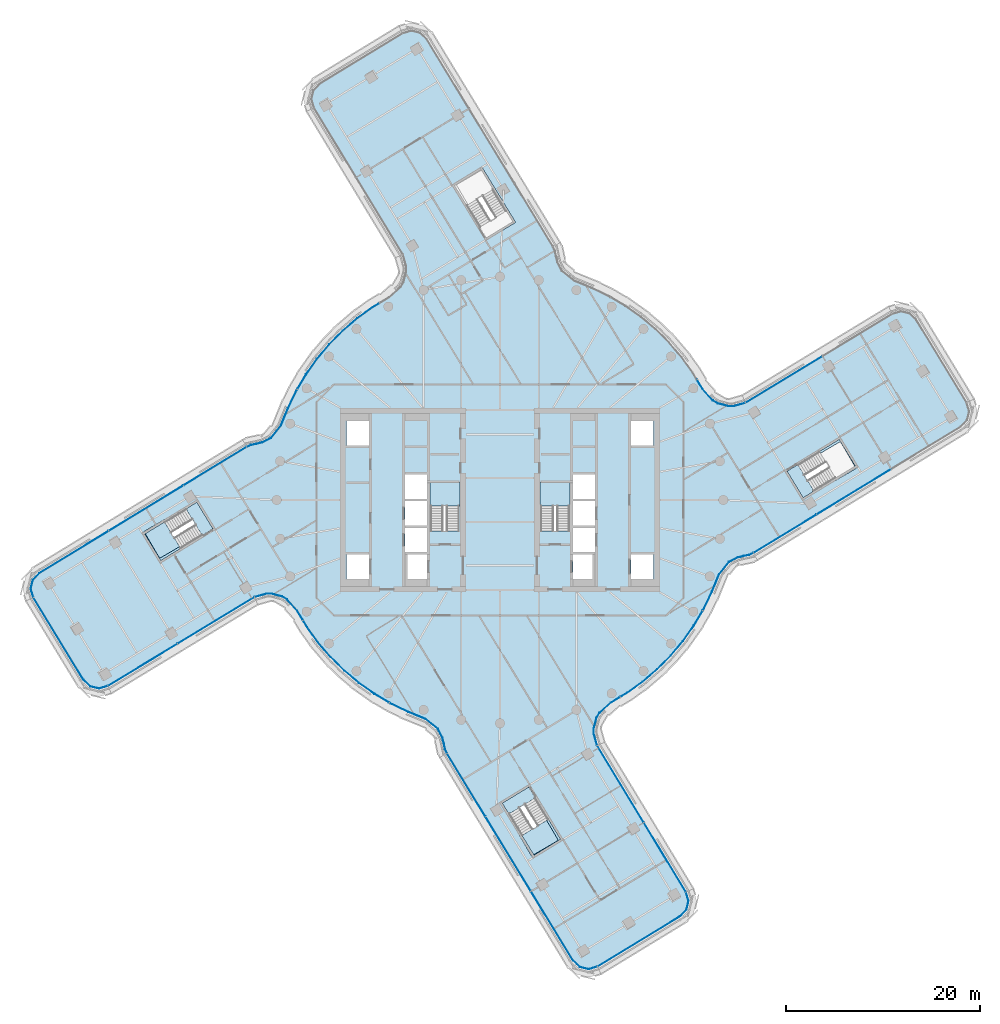
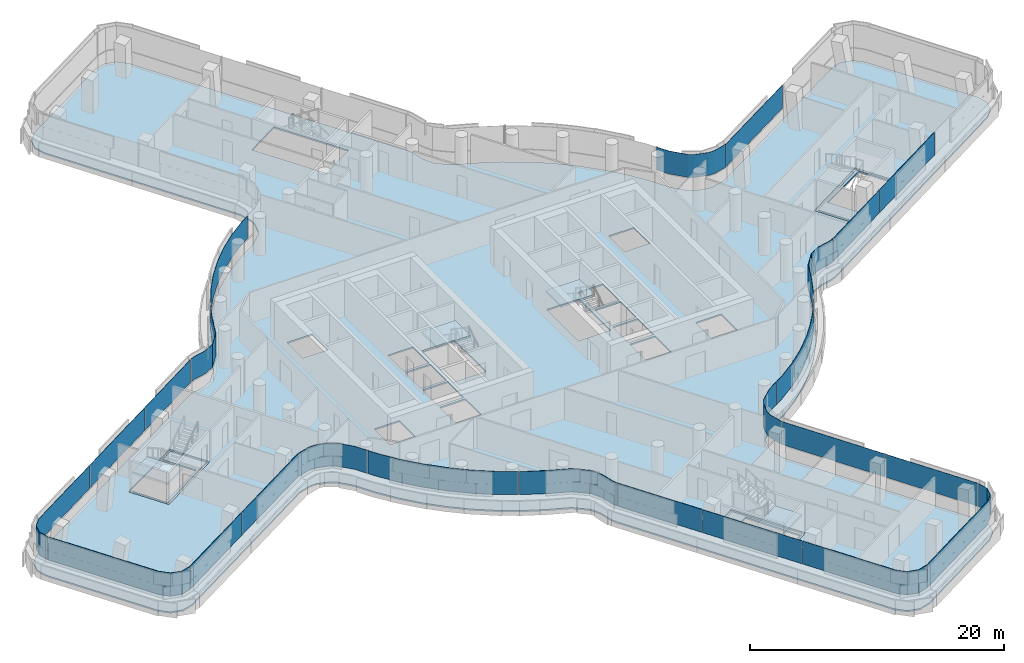
# One storey, part 19 of 35: 24 plates, 8 slabs, 16 elements without a shape of their own.
"""IFC4 building model written with IfcOpenShell, lengths in metres."""

from ifc_helpers import new_model, si_unit, direction, frame, origin, place, context, subcontext, project, spatial, polyline, outline, extrude, material, layer, layer_set, type_object, element, aggregate, save


model = new_model("IFC4")

# Units and contexts
model_context = context("Model", 3, precision=1e-05, world=origin(), true_north=direction((0.0, 1.0)))
body_context = subcontext(model_context, "Body", "Model", "MODEL_VIEW")
ifc_project = project(units=[si_unit("LENGTHUNIT", "METRE"), si_unit("AREAUNIT", "SQUARE_METRE"), si_unit("VOLUMEUNIT", "CUBIC_METRE"), si_unit("PLANEANGLEUNIT", "RADIAN"), si_unit("MASSUNIT", "GRAM", prefix="KILO")], contexts=[model_context])

# Site, building, storey
site_placement = place(None, origin())
site = spatial("IfcSite", under=ifc_project, at=site_placement, CompositionType="ELEMENT")
building_placement = place(site_placement, origin())
building = spatial("IfcBuilding", under=site, at=building_placement, Name="Tamarind Cross Interchange Tower", CompositionType="ELEMENT")
storey_placement = place(building_placement, frame((0.0, 0.0, 148.0)))
storey = spatial("IfcBuildingStorey", under=building, at=storey_placement, Name="L36", CompositionType="ELEMENT", Elevation=148.0)

# Slabs
ifc_material_1 = material(Name="Concrete C35", Category="concrete")
ifc_layer_1 = layer(ifc_material_1, 0.139892578125)
ifc_layer_set_1 = layer_set([ifc_layer_1], Name="Concrete C35")
slab_type_1 = type_object("IfcSlabType", Name="Composite slab 140 Concrete C35", PredefinedType="FLOOR", material=ifc_layer_set_1)
slab_1_placement = place(storey_placement, frame((0.0, 0.0, -0.139892578125)))
element("IfcSlab", 1, at=slab_1_placement, inside=storey, type_object=slab_type_1, Name="Floor slab L36", PredefinedType="FLOOR", context=body_context, shape_type="SweptSolid", body=[
    extrude(outline(polyline([(-25.725830078125, 5.84716796875), (-26.203369140625, 5.635986328125), (-47.577392578125, -7.382080078125), (-48.2919921875, -8.131103515625), (-48.53662109375, -9.13720703125), (-48.2451171875, -10.130615234375), (-43.04345703125, -18.671142578125), (-42.29443359375, -19.3857421875), (-41.288330078125, -19.630126953125), (-40.294921875, -19.3388671875), (-25.205810546875, -10.19091796875), (-24.056396484375, -9.864501953125), (-23.532470703125, -9.861083984375), (-22.5107421875, -10.13720703125), (-22.0595703125, -10.404052734375), (-21.054443359375, -11.511474609375), (-20.031982421875, -13.2109375), (-18.87255859375, -14.820068359375), (-17.584228515625, -16.327880859375), (-16.17578125, -17.72412109375), (-14.656982421875, -18.99951171875), (-13.0380859375, -20.14501953125), (-11.329833984375, -21.15283203125), (-9.54443359375, -22.01611328125), (-7.732421875, -22.753662109375), (-6.55419921875, -23.715576171875), (-6.118896484375, -24.551025390625), (-5.96875, -25.16259765625), (-5.84716796875, -25.725830078125), (-5.635986328125, -26.203369140625), (7.382080078125, -47.577392578125), (8.131103515625, -48.2919921875), (9.13720703125, -48.53662109375), (10.130615234375, -48.2451171875), (18.671142578125, -43.04345703125), (19.3857421875, -42.29443359375), (19.630126953125, -41.288330078125), (19.3388671875, -40.294921875), (10.19091796875, -25.205810546875), (9.864501953125, -24.056396484375), (9.861083984375, -23.532470703125), (10.13720703125, -22.5107421875), (10.404052734375, -22.0595703125), (11.511474609375, -21.054443359375), (13.2109375, -20.031982421875), (14.820068359375, -18.87255859375), (16.327880859375, -17.584228515625), (17.72412109375, -16.17578125), (18.99951171875, -14.656982421875), (20.14501953125, -13.0380859375), (21.15283203125, -11.329833984375), (22.01611328125, -9.54443359375), (22.753662109375, -7.732421875), (23.715576171875, -6.55419921875), (24.551025390625, -6.118896484375), (25.16259765625, -5.96875), (25.725830078125, -5.84716796875), (26.203369140625, -5.635986328125), (47.577392578125, 7.382080078125), (48.2919921875, 8.131103515625), (48.53662109375, 9.13720703125), (48.2451171875, 10.130615234375), (43.04345703125, 18.671142578125), (42.29443359375, 19.3857421875), (41.288330078125, 19.630126953125), (40.294921875, 19.3388671875), (25.205810546875, 10.19091796875), (24.056396484375, 9.864501953125), (23.532470703125, 9.861083984375), (22.5107421875, 10.13720703125), (22.0595703125, 10.404052734375), (21.054443359375, 11.511474609375), (20.031982421875, 13.2109375), (18.87255859375, 14.820068359375), (17.584228515625, 16.327880859375), (16.17578125, 17.72412109375), (14.656982421875, 18.99951171875), (13.0380859375, 20.14501953125), (11.329833984375, 21.15283203125), (9.54443359375, 22.01611328125), (7.732421875, 22.753662109375), (6.55419921875, 23.715576171875), (6.118896484375, 24.551025390625), (5.96875, 25.16259765625), (5.84716796875, 25.725830078125), (5.635986328125, 26.203369140625), (-7.382080078125, 47.577392578125), (-8.131103515625, 48.2919921875), (-9.13720703125, 48.53662109375), (-10.130615234375, 48.2451171875), (-18.671142578125, 43.04345703125), (-19.3857421875, 42.29443359375), (-19.630126953125, 41.288330078125), (-19.3388671875, 40.294921875), (-10.19091796875, 25.205810546875), (-9.864501953125, 24.056396484375), (-9.861083984375, 23.532470703125), (-10.13720703125, 22.5107421875), (-10.404052734375, 22.0595703125), (-11.511474609375, 21.054443359375), (-13.2109375, 20.031982421875), (-14.820068359375, 18.87255859375), (-16.327880859375, 17.584228515625), (-17.72412109375, 16.17578125), (-18.99951171875, 14.656982421875), (-20.14501953125, 13.0380859375), (-21.15283203125, 11.329833984375), (-22.01611328125, 9.54443359375), (-22.753662109375, 7.732421875), (-23.715576171875, 6.55419921875), (-24.551025390625, 6.118896484375), (-25.16259765625, 5.96875), (-25.725830078125, 5.84716796875)]), holes=[polyline([(-7.5, -8.125), (-9.800048828125, -8.125), (-9.800048828125, -5.625), (-7.5, -5.625), (-7.5, -8.125)]), polyline([(-13.5, -8.125), (-15.800048828125, -8.125), (-15.800048828125, -5.625), (-13.5, -5.625), (-13.5, -8.125)]), polyline([(-31.158447265625, 0.0419921875), (-31.054443359375, -0.128662109375), (-29.389892578125, -2.86181640625), (-29.285888671875, -3.032470703125), (-35.008056640625, -6.517578125), (-35.112060546875, -6.346923828125), (-36.776611328125, -3.614013671875), (-36.880615234375, -3.443115234375), (-36.63720703125, -3.294677734375), (-36.66748046875, -3.242919921875), (-33.8271484375, -1.583251953125), (-31.158447265625, 0.0419921875)]), polyline([(-7.5, -5.375), (-9.800048828125, -5.375), (-9.800048828125, -2.875), (-7.5, -2.875), (-7.5, -5.375)]), polyline([(-7.5, -2.625), (-9.800048828125, -2.625), (-9.800048828125, -0.125), (-7.5, -0.125), (-7.5, -2.625)]), polyline([(-4.199951171875, 1.800048828125), (-4.199951171875, -3.18798828125), (-7.14990234375, -3.18798828125), (-7.14990234375, 1.800048828125), (-4.199951171875, 1.800048828125)]), polyline([(-7.5, 0.125), (-9.800048828125, 0.125), (-9.800048828125, 2.625), (-7.5, 2.625), (-7.5, 0.125)]), polyline([(-13.5, 5.625), (-15.800048828125, 5.625), (-15.800048828125, 8.125), (-13.5, 8.125), (-13.5, 5.625)]), polyline([(1.6025390625, 28.59619140625), (1.431884765625, 28.4921875), (-1.30126953125, 26.82763671875), (-1.471923828125, 26.7236328125), (-4.95703125, 32.44580078125), (-4.786376953125, 32.5498046875), (-2.05322265625, 34.214599609375), (-1.882568359375, 34.318603515625), (-1.73388671875, 34.07470703125), (-1.7294921875, 34.0771484375), (-1.583251953125, 33.8271484375), (1.6025390625, 28.59619140625)]), polyline([(6.517578125, -35.008056640625), (6.346923828125, -35.112060546875), (3.614013671875, -36.776611328125), (3.443115234375, -36.880615234375), (3.294677734375, -36.63720703125), (3.242919921875, -36.66748046875), (1.583251953125, -33.8271484375), (-0.0419921875, -31.158447265625), (0.128662109375, -31.054443359375), (2.86181640625, -29.389892578125), (3.032470703125, -29.285888671875), (6.517578125, -35.008056640625)]), polyline([(13.5, -5.625), (15.800048828125, -5.625), (15.800048828125, -8.125), (13.5, -8.125), (13.5, -5.625)]), polyline([(7.5, -5.625), (9.800048828125, -5.625), (9.800048828125, -8.125), (7.5, -8.125), (7.5, -5.625)]), polyline([(7.5, -2.875), (9.800048828125, -2.875), (9.800048828125, -5.375), (7.5, -5.375), (7.5, -2.875)]), polyline([(7.5, -0.125), (9.800048828125, -0.125), (9.800048828125, -2.625), (7.5, -2.625), (7.5, -0.125)]), polyline([(7.14990234375, 1.800048828125), (7.14990234375, -3.18798828125), (4.199951171875, -3.18798828125), (4.199951171875, 1.800048828125), (7.14990234375, 1.800048828125)]), polyline([(7.5, 2.625), (9.800048828125, 2.625), (9.800048828125, 0.125), (7.5, 0.125), (7.5, 2.625)]), polyline([(31.158447265625, -0.0419921875), (31.054443359375, 0.128662109375), (29.389892578125, 2.86181640625), (29.285888671875, 3.032470703125), (35.008056640625, 6.517578125), (35.112060546875, 6.346923828125), (36.776611328125, 3.614013671875), (36.880615234375, 3.443115234375), (36.63720703125, 3.294677734375), (36.66748046875, 3.242919921875), (33.8271484375, 1.583251953125), (31.158447265625, -0.0419921875)]), polyline([(15.800048828125, 8.125), (15.800048828125, 5.625), (13.5, 5.625), (13.5, 8.125), (15.800048828125, 8.125)])]), origin(), (0.0, 0.0, 1.0), 0.139892578125),
])
slab_2_placement = place(storey_placement, frame((0.0, 0.0, -0.139892578125)))
element("IfcSlab", 2, at=slab_2_placement, inside=storey, type_object=slab_type_1, Name="Floor slab L36", PredefinedType="FLOOR", context=body_context, shape_type="SweptSolid", body=[
    extrude(outline(polyline([(-36.60595703125, -3.509765625), (-34.94140625, -6.242919921875), (-29.560791015625, -2.9658203125), (-31.225341796875, -0.232666015625), (-32.275390625, -0.872314453125), (-32.345703125, -0.915283203125), (-30.769775390625, -3.5029296875), (-35.052978515625, -6.005859375), (-36.5361328125, -3.46728515625), (-36.60595703125, -3.509765625)])), origin(), (0.0, 0.0, 1.0), 0.139892578125),
])
slab_3_placement = place(storey_placement, frame((0.0, 0.0, -0.139892578125)))
element("IfcSlab", 3, at=slab_3_placement, inside=storey, type_object=slab_type_1, Name="Floor slab L36", PredefinedType="FLOOR", context=body_context, shape_type="SweptSolid", body=[
    extrude(outline(polyline([(2.9658203125, -29.560791015625), (0.232666015625, -31.225341796875), (0.872314453125, -32.275390625), (0.915283203125, -32.345703125), (3.5029296875, -30.769775390625), (6.005859375, -35.052978515625), (3.46728515625, -36.5361328125), (3.509765625, -36.60595703125), (6.242919921875, -34.94140625), (2.9658203125, -29.560791015625)])), origin(), (0.0, 0.0, 1.0), 0.139892578125),
])
slab_4_placement = place(storey_placement, frame((0.0, 0.0, -0.139892578125)))
element("IfcSlab", 4, at=slab_4_placement, inside=storey, type_object=slab_type_1, Name="Floor slab L36", PredefinedType="FLOOR", context=body_context, shape_type="SweptSolid", body=[
    extrude(outline(polyline([(35.052978515625, 6.005859375), (36.5361328125, 3.46728515625), (36.60595703125, 3.509765625), (34.94140625, 6.242919921875), (29.560791015625, 2.9658203125), (31.225341796875, 0.232666015625), (32.275390625, 0.872314453125), (32.345703125, 0.915283203125), (30.769775390625, 3.5029296875), (35.052978515625, 6.005859375)])), origin(), (0.0, 0.0, 1.0), 0.139892578125),
])

# Stair, slab
ifc_material_2 = material(Name="Exit stair")
stair_type = type_object("IfcStairType", Name="Exit stair", PredefinedType="HALF_TURN_STAIR", material=ifc_material_2)
stair_1_placement = place(storey_placement, origin())
stair_1 = element("IfcStair", 5, at=stair_1_placement, inside=storey, type_object=stair_type, Name="L36 exit stair ST1", PredefinedType="HALF_TURN_STAIR")
ifc_material_3 = material(Name="Concrete C40", Category="concrete")
ifc_layer_2 = layer(ifc_material_3, 0.199951171875)
ifc_layer_set_2 = layer_set([ifc_layer_2], Name="Concrete C40")
slab_type_2 = type_object("IfcSlabType", Name="Stair landing", PredefinedType="LANDING", material=ifc_layer_set_2)
slab_5_placement = place(storey_placement, frame((0.0, 0.0, 1.675048828125)))
slab_5 = element("IfcSlab", 6, at=slab_5_placement, type_object=slab_type_2, Name="ST1 landing 1", PredefinedType="LANDING", context=body_context, shape_type="SweptSolid", body=[
    extrude(outline(polyline([(-4.10009765625, -0.60009765625), (-4.10009765625, 1.800048828125), (-7.199951171875, 1.800048828125), (-7.199951171875, -0.60009765625), (-4.10009765625, -0.60009765625)])), origin(), (0.0, 0.0, 1.0), 0.199951171875),
])
aggregate(stair_1, [slab_5])

stair_2_placement = place(storey_placement, origin())
stair_2 = element("IfcStair", 7, at=stair_2_placement, inside=storey, type_object=stair_type, Name="L36 exit stair ST2", PredefinedType="HALF_TURN_STAIR")
slab_6_placement = place(storey_placement, frame((0.0, 0.0, 1.675048828125)))
slab_6 = element("IfcSlab", 8, at=slab_6_placement, type_object=slab_type_2, Name="ST2 landing 1", PredefinedType="LANDING", context=body_context, shape_type="SweptSolid", body=[
    extrude(outline(polyline([(7.199951171875, -0.60009765625), (7.199951171875, 1.800048828125), (4.10009765625, 1.800048828125), (4.10009765625, -0.60009765625), (7.199951171875, -0.60009765625)])), origin(), (0.0, 0.0, 1.0), 0.199951171875),
])
aggregate(stair_2, [slab_6])

stair_3_placement = place(storey_placement, origin())
stair_3 = element("IfcStair", 9, at=stair_3_placement, inside=storey, type_object=stair_type, Name="L36 exit stair ST5", PredefinedType="HALF_TURN_STAIR")
slab_7_placement = place(storey_placement, frame((0.0, 0.0, 1.675048828125)))
slab_7 = element("IfcSlab", 10, at=slab_7_placement, type_object=slab_type_2, Name="ST5 landing 1", PredefinedType="LANDING", context=body_context, shape_type="SweptSolid", body=[
    extrude(outline(polyline([(-34.5458984375, -2.255126953125), (-36.60595703125, -3.509765625), (-34.94140625, -6.242919921875), (-32.88134765625, -4.988037109375), (-34.5458984375, -2.255126953125)])), origin(), (0.0, 0.0, 1.0), 0.199951171875),
])
aggregate(stair_3, [slab_7])

stair_4_placement = place(storey_placement, origin())
stair_4 = element("IfcStair", 11, at=stair_4_placement, inside=storey, type_object=stair_type, Name="L36 exit stair ST6", PredefinedType="HALF_TURN_STAIR")
slab_8_placement = place(storey_placement, frame((0.0, 0.0, 1.675048828125)))
slab_8 = element("IfcSlab", 12, at=slab_8_placement, type_object=slab_type_2, Name="ST6 landing 1", PredefinedType="LANDING", context=body_context, shape_type="SweptSolid", body=[
    extrude(outline(polyline([(2.255126953125, -34.5458984375), (3.509765625, -36.60595703125), (6.242919921875, -34.94140625), (4.988037109375, -32.88134765625), (2.255126953125, -34.5458984375)])), origin(), (0.0, 0.0, 1.0), 0.199951171875),
])
aggregate(stair_4, [slab_8])

# Curtain wall, plate
ifc_material_4 = material(Name="Aluminium 6063-T6", Category="aluminium")
ifc_layer_3 = layer(ifc_material_4, 0.159912109375)
ifc_layer_set_3 = layer_set([ifc_layer_3], Name="Aluminium 6063-T6")
curtain_wall_type = type_object("IfcCurtainWallType", Name="Office curtain wall, 9.0 m bays", PredefinedType="NOTDEFINED", material=ifc_layer_set_3)
curtain_wall_1_placement = place(storey_placement, origin())
curtain_wall_1 = element("IfcCurtainWall", 13, at=curtain_wall_1_placement, inside=storey, type_object=curtain_wall_type, Name="CWS-L36-00", PredefinedType="NOTDEFINED")
ifc_material_5 = material(Name="Laminated low-e glass 8+1.52+8", Category="glass")
ifc_layer_4 = layer(ifc_material_5, 0.028076171875)
ifc_layer_set_4 = layer_set([ifc_layer_4], Name="Laminated low-e glass 8+1.52+8")
plate_type = type_object("IfcPlateType", Name="Vision panel CW1", PredefinedType="CURTAIN_PANEL", material=ifc_layer_set_4)
plate_1_placement = place(storey_placement, frame((0.0, 0.0, 1.39990234375)))
plate_1 = element("IfcPlate", 14, at=plate_1_placement, type_object=plate_type, Name="CWP-L36-00-00", PredefinedType="CURTAIN_PANEL", context=body_context, shape_type="SweptSolid", body=[
    extrude(outline(polyline([(-48.033203125, -10.0673828125), (-42.875244140625, -18.53564453125), (-42.188232421875, -19.19140625), (-41.293701171875, -19.40869140625), (-40.408935546875, -19.1494140625), (-40.401123046875, -19.17626953125), (-41.29296875, -19.437744140625), (-42.2021484375, -19.216796875), (-42.897216796875, -18.553466796875), (-48.05712890625, -10.081787109375), (-48.033203125, -10.0673828125)])), origin(), (0.0, 0.0, 1.0), 2.210205078125),
])
aggregate(curtain_wall_1, [plate_1])

# Curtain wall, plates
curtain_wall_2_placement = place(storey_placement, origin())
curtain_wall_2 = element("IfcCurtainWall", 15, at=curtain_wall_2_placement, inside=storey, type_object=curtain_wall_type, Name="CWS-L36-01", PredefinedType="NOTDEFINED")
plate_2_placement = place(storey_placement, frame((0.0, 0.0, 1.39990234375)))
plate_2 = element("IfcPlate", 16, at=plate_2_placement, type_object=plate_type, Name="CWP-L36-01-00", PredefinedType="CURTAIN_PANEL", context=body_context, shape_type="SweptSolid", body=[
    extrude(outline(polyline([(-40.35791015625, -19.126708984375), (-33.239013671875, -14.81103515625), (-33.224365234375, -14.8349609375), (-40.343505859375, -19.15087890625), (-40.35791015625, -19.126708984375)])), origin(), (0.0, 0.0, 1.0), 2.210205078125),
])
plate_3_placement = place(storey_placement, frame((0.0, 0.0, 1.39990234375)))
plate_3 = element("IfcPlate", 17, at=plate_3_placement, type_object=plate_type, Name="CWP-L36-01-01", PredefinedType="CURTAIN_PANEL", context=body_context, shape_type="SweptSolid", body=[
    extrude(outline(polyline([(-33.187744140625, -14.77978515625), (-25.3193359375, -10.009521484375), (-25.304931640625, -10.033447265625), (-33.173095703125, -14.8037109375), (-33.187744140625, -14.77978515625)])), origin(), (0.0, 0.0, 1.0), 2.210205078125),
])
aggregate(curtain_wall_2, [plate_2, plate_3])

curtain_wall_3_placement = place(storey_placement, origin())
curtain_wall_3 = element("IfcCurtainWall", 18, at=curtain_wall_3_placement, inside=storey, type_object=curtain_wall_type, Name="CWS-L36-02", PredefinedType="NOTDEFINED")
plate_4_placement = place(storey_placement, frame((0.0, 0.0, 1.39990234375)))
plate_4 = element("IfcPlate", 19, at=plate_4_placement, type_object=plate_type, Name="CWP-L36-02-00", PredefinedType="CURTAIN_PANEL", context=body_context, shape_type="SweptSolid", body=[
    extrude(outline(polyline([(-25.261474609375, -9.984375), (-24.0869140625, -9.65087890625), (-23.504638671875, -9.64697265625), (-22.4267578125, -9.938232421875), (-21.9228515625, -10.236328125), (-20.8818359375, -11.38330078125), (-20.29638671875, -12.356201171875), (-20.3203125, -12.37060546875), (-20.904541015625, -11.39990234375), (-21.940673828125, -10.25830078125), (-22.437744140625, -9.964111328125), (-23.50830078125, -9.675048828125), (-24.0830078125, -9.6787109375), (-25.25390625, -10.01123046875), (-25.261474609375, -9.984375)])), origin(), (0.0, 0.0, 1.0), 2.210205078125),
])
plate_5_placement = place(storey_placement, frame((0.0, 0.0, 1.39990234375)))
plate_5 = element("IfcPlate", 20, at=plate_5_placement, type_object=plate_type, Name="CWP-L36-02-01", PredefinedType="CURTAIN_PANEL", context=body_context, shape_type="SweptSolid", body=[
    extrude(outline(polyline([(-20.265380859375, -12.40771484375), (-19.85302734375, -13.093017578125), (-18.7041015625, -14.687744140625), (-17.42724609375, -16.18212890625), (-16.031494140625, -17.56591796875), (-14.526123046875, -18.829833984375), (-12.921630859375, -19.965087890625), (-11.423095703125, -20.849365234375), (-11.437255859375, -20.873291015625), (-12.936767578125, -19.988525390625), (-14.543212890625, -18.85205078125), (-16.05029296875, -17.586669921875), (-17.44775390625, -16.201171875), (-18.72607421875, -14.705078125), (-19.87646484375, -13.1083984375), (-20.28955078125, -12.422119140625), (-20.265380859375, -12.40771484375)])), origin(), (0.0, 0.0, 1.0), 2.210205078125),
])
plate_6_placement = place(storey_placement, frame((0.0, 0.0, 1.39990234375)))
plate_6 = element("IfcPlate", 21, at=plate_6_placement, type_object=plate_type, Name="CWP-L36-02-02", PredefinedType="CURTAIN_PANEL", context=body_context, shape_type="SweptSolid", body=[
    extrude(outline(polyline([(-11.37158203125, -20.879638671875), (-11.228759765625, -20.9638671875), (-9.457275390625, -21.820556640625), (-7.6220703125, -22.567626953125), (-6.384765625, -23.57763671875), (-5.917236328125, -24.47509765625), (-5.76025390625, -25.1142578125), (-5.642578125, -25.659423828125), (-5.457763671875, -26.077392578125), (-5.4833984375, -26.0888671875), (-5.669189453125, -25.66796875), (-5.78759765625, -25.12060546875), (-5.943603515625, -24.48486328125), (-6.40673828125, -23.595703125), (-7.636474609375, -22.591796875), (-9.46875, -21.84619140625), (-11.241943359375, -20.98876953125), (-11.3857421875, -20.90380859375), (-11.37158203125, -20.879638671875)])), origin(), (0.0, 0.0, 1.0), 2.210205078125),
])
aggregate(curtain_wall_3, [plate_4, plate_5, plate_6])

curtain_wall_4_placement = place(storey_placement, origin())
curtain_wall_4 = element("IfcCurtainWall", 22, at=curtain_wall_4_placement, inside=storey, type_object=curtain_wall_type, Name="CWS-L36-03", PredefinedType="NOTDEFINED")
plate_7_placement = place(storey_placement, frame((0.0, 0.0, 1.39990234375)))
plate_7 = element("IfcPlate", 23, at=plate_7_placement, type_object=plate_type, Name="CWP-L36-03-00", PredefinedType="CURTAIN_PANEL", context=body_context, shape_type="SweptSolid", body=[
    extrude(outline(polyline([(-5.430908203125, -26.12890625), (-1.4931640625, -32.59375), (-1.51708984375, -32.6083984375), (-5.454833984375, -26.1435546875), (-5.430908203125, -26.12890625)])), origin(), (0.0, 0.0, 1.0), 2.210205078125),
])
plate_8_placement = place(storey_placement, frame((0.0, 0.0, 1.39990234375)))
plate_8 = element("IfcPlate", 24, at=plate_8_placement, type_object=plate_type, Name="CWP-L36-03-01", PredefinedType="CURTAIN_PANEL", context=body_context, shape_type="SweptSolid", body=[
    extrude(outline(polyline([(-1.462158203125, -32.64501953125), (3.180908203125, -40.268310546875), (3.156982421875, -40.282958984375), (-1.486083984375, -32.65966796875), (-1.462158203125, -32.64501953125)])), origin(), (0.0, 0.0, 1.0), 2.210205078125),
])
plate_9_placement = place(storey_placement, frame((0.0, 0.0, 1.39990234375)))
plate_9 = element("IfcPlate", 25, at=plate_9_placement, type_object=plate_type, Name="CWP-L36-03-02", PredefinedType="CURTAIN_PANEL", context=body_context, shape_type="SweptSolid", body=[
    extrude(outline(polyline([(3.212158203125, -40.319580078125), (7.55029296875, -47.442138671875), (8.2373046875, -48.09765625), (9.1318359375, -48.31494140625), (10.016357421875, -48.0556640625), (10.024169921875, -48.08251953125), (9.132568359375, -48.343994140625), (8.223388671875, -48.123046875), (7.528076171875, -47.459716796875), (3.188232421875, -40.334228515625), (3.212158203125, -40.319580078125)])), origin(), (0.0, 0.0, 1.0), 2.210205078125),
])
aggregate(curtain_wall_4, [plate_7, plate_8, plate_9])

# Curtain wall, plate
curtain_wall_5_placement = place(storey_placement, origin())
curtain_wall_5 = element("IfcCurtainWall", 26, at=curtain_wall_5_placement, inside=storey, type_object=curtain_wall_type, Name="CWS-L36-04", PredefinedType="NOTDEFINED")
plate_10_placement = place(storey_placement, frame((0.0, 0.0, 1.39990234375)))
plate_10 = element("IfcPlate", 27, at=plate_10_placement, type_object=plate_type, Name="CWP-L36-04-00", PredefinedType="CURTAIN_PANEL", context=body_context, shape_type="SweptSolid", body=[
    extrude(outline(polyline([(10.0673828125, -48.033203125), (18.53564453125, -42.875244140625), (19.19140625, -42.188232421875), (19.40869140625, -41.293701171875), (19.1494140625, -40.408935546875), (19.17626953125, -40.401123046875), (19.437744140625, -41.29296875), (19.216796875, -42.2021484375), (18.553466796875, -42.897216796875), (10.081787109375, -48.05712890625), (10.0673828125, -48.033203125)])), origin(), (0.0, 0.0, 1.0), 2.210205078125),
])
aggregate(curtain_wall_5, [plate_10])

# Curtain wall, plates
curtain_wall_6_placement = place(storey_placement, origin())
curtain_wall_6 = element("IfcCurtainWall", 28, at=curtain_wall_6_placement, inside=storey, type_object=curtain_wall_type, Name="CWS-L36-05", PredefinedType="NOTDEFINED")
plate_11_placement = place(storey_placement, frame((0.0, 0.0, 1.39990234375)))
plate_11 = element("IfcPlate", 29, at=plate_11_placement, type_object=plate_type, Name="CWP-L36-05-00", PredefinedType="CURTAIN_PANEL", context=body_context, shape_type="SweptSolid", body=[
    extrude(outline(polyline([(19.126708984375, -40.35791015625), (14.81103515625, -33.239013671875), (14.8349609375, -33.224365234375), (19.15087890625, -40.343505859375), (19.126708984375, -40.35791015625)])), origin(), (0.0, 0.0, 1.0), 2.210205078125),
])
plate_12_placement = place(storey_placement, frame((0.0, 0.0, 1.39990234375)))
plate_12 = element("IfcPlate", 30, at=plate_12_placement, type_object=plate_type, Name="CWP-L36-05-01", PredefinedType="CURTAIN_PANEL", context=body_context, shape_type="SweptSolid", body=[
    extrude(outline(polyline([(14.77978515625, -33.187744140625), (10.009521484375, -25.3193359375), (10.033447265625, -25.304931640625), (14.8037109375, -33.173095703125), (14.77978515625, -33.187744140625)])), origin(), (0.0, 0.0, 1.0), 2.210205078125),
])
aggregate(curtain_wall_6, [plate_11, plate_12])

curtain_wall_7_placement = place(storey_placement, origin())
curtain_wall_7 = element("IfcCurtainWall", 31, at=curtain_wall_7_placement, inside=storey, type_object=curtain_wall_type, Name="CWS-L36-06", PredefinedType="NOTDEFINED")
plate_13_placement = place(storey_placement, frame((0.0, 0.0, 1.39990234375)))
plate_13 = element("IfcPlate", 32, at=plate_13_placement, type_object=plate_type, Name="CWP-L36-06-00", PredefinedType="CURTAIN_PANEL", context=body_context, shape_type="SweptSolid", body=[
    extrude(outline(polyline([(9.984375, -25.261474609375), (9.65087890625, -24.0869140625), (9.64697265625, -23.504638671875), (9.938232421875, -22.4267578125), (10.236328125, -21.9228515625), (11.38330078125, -20.8818359375), (12.356201171875, -20.29638671875), (12.37060546875, -20.3203125), (11.39990234375, -20.904541015625), (10.25830078125, -21.940673828125), (9.964111328125, -22.437744140625), (9.675048828125, -23.50830078125), (9.6787109375, -24.0830078125), (10.01123046875, -25.25390625), (9.984375, -25.261474609375)])), origin(), (0.0, 0.0, 1.0), 2.210205078125),
])
plate_14_placement = place(storey_placement, frame((0.0, 0.0, 1.39990234375)))
plate_14 = element("IfcPlate", 33, at=plate_14_placement, type_object=plate_type, Name="CWP-L36-06-01", PredefinedType="CURTAIN_PANEL", context=body_context, shape_type="SweptSolid", body=[
    extrude(outline(polyline([(12.40771484375, -20.265380859375), (13.093017578125, -19.85302734375), (14.687744140625, -18.7041015625), (16.18212890625, -17.42724609375), (17.56591796875, -16.031494140625), (18.829833984375, -14.526123046875), (19.965087890625, -12.921630859375), (20.849365234375, -11.423095703125), (20.873291015625, -11.437255859375), (19.988525390625, -12.936767578125), (18.85205078125, -14.543212890625), (17.586669921875, -16.05029296875), (16.201171875, -17.44775390625), (14.705078125, -18.72607421875), (13.1083984375, -19.87646484375), (12.422119140625, -20.28955078125), (12.40771484375, -20.265380859375)])), origin(), (0.0, 0.0, 1.0), 2.210205078125),
])
plate_15_placement = place(storey_placement, frame((0.0, 0.0, 1.39990234375)))
plate_15 = element("IfcPlate", 34, at=plate_15_placement, type_object=plate_type, Name="CWP-L36-06-02", PredefinedType="CURTAIN_PANEL", context=body_context, shape_type="SweptSolid", body=[
    extrude(outline(polyline([(20.879638671875, -11.37158203125), (20.9638671875, -11.228759765625), (21.820556640625, -9.457275390625), (22.567626953125, -7.6220703125), (23.57763671875, -6.384765625), (24.47509765625, -5.917236328125), (25.1142578125, -5.76025390625), (25.659423828125, -5.642578125), (26.077392578125, -5.457763671875), (26.0888671875, -5.4833984375), (25.66796875, -5.669189453125), (25.12060546875, -5.78759765625), (24.48486328125, -5.943603515625), (23.595703125, -6.40673828125), (22.591796875, -7.636474609375), (21.84619140625, -9.46875), (20.98876953125, -11.241943359375), (20.90380859375, -11.3857421875), (20.879638671875, -11.37158203125)])), origin(), (0.0, 0.0, 1.0), 2.210205078125),
])
aggregate(curtain_wall_7, [plate_13, plate_14, plate_15])

curtain_wall_8_placement = place(storey_placement, origin())
curtain_wall_8 = element("IfcCurtainWall", 35, at=curtain_wall_8_placement, inside=storey, type_object=curtain_wall_type, Name="CWS-L36-07", PredefinedType="NOTDEFINED")
plate_16_placement = place(storey_placement, frame((0.0, 0.0, 1.39990234375)))
plate_16 = element("IfcPlate", 36, at=plate_16_placement, type_object=plate_type, Name="CWP-L36-07-00", PredefinedType="CURTAIN_PANEL", context=body_context, shape_type="SweptSolid", body=[
    extrude(outline(polyline([(26.12890625, -5.430908203125), (32.59375, -1.4931640625), (32.6083984375, -1.51708984375), (26.1435546875, -5.454833984375), (26.12890625, -5.430908203125)])), origin(), (0.0, 0.0, 1.0), 2.210205078125),
])
plate_17_placement = place(storey_placement, frame((0.0, 0.0, 1.39990234375)))
plate_17 = element("IfcPlate", 37, at=plate_17_placement, type_object=plate_type, Name="CWP-L36-07-01", PredefinedType="CURTAIN_PANEL", context=body_context, shape_type="SweptSolid", body=[
    extrude(outline(polyline([(32.64501953125, -1.462158203125), (40.268310546875, 3.180908203125), (40.282958984375, 3.156982421875), (32.65966796875, -1.486083984375), (32.64501953125, -1.462158203125)])), origin(), (0.0, 0.0, 1.0), 2.210205078125),
])
aggregate(curtain_wall_8, [plate_16, plate_17])

# Curtain wall, plate
curtain_wall_9_placement = place(storey_placement, origin())
curtain_wall_9 = element("IfcCurtainWall", 38, at=curtain_wall_9_placement, inside=storey, type_object=curtain_wall_type, Name="CWS-L36-09", PredefinedType="NOTDEFINED")
plate_18_placement = place(storey_placement, frame((0.0, 0.0, 1.39990234375)))
plate_18 = element("IfcPlate", 39, at=plate_18_placement, type_object=plate_type, Name="CWP-L36-09-01", PredefinedType="CURTAIN_PANEL", context=body_context, shape_type="SweptSolid", body=[
    extrude(outline(polyline([(33.187744140625, 14.77978515625), (25.3193359375, 10.009521484375), (25.304931640625, 10.033447265625), (33.173095703125, 14.8037109375), (33.187744140625, 14.77978515625)])), origin(), (0.0, 0.0, 1.0), 2.210205078125),
])
aggregate(curtain_wall_9, [plate_18])

curtain_wall_10_placement = place(storey_placement, origin())
curtain_wall_10 = element("IfcCurtainWall", 40, at=curtain_wall_10_placement, inside=storey, type_object=curtain_wall_type, Name="CWS-L36-10", PredefinedType="NOTDEFINED")
plate_19_placement = place(storey_placement, frame((0.0, 0.0, 1.39990234375)))
plate_19 = element("IfcPlate", 41, at=plate_19_placement, type_object=plate_type, Name="CWP-L36-10-00", PredefinedType="CURTAIN_PANEL", context=body_context, shape_type="SweptSolid", body=[
    extrude(outline(polyline([(25.261474609375, 9.984375), (24.0869140625, 9.65087890625), (23.504638671875, 9.64697265625), (22.4267578125, 9.938232421875), (21.9228515625, 10.236328125), (20.8818359375, 11.38330078125), (20.29638671875, 12.356201171875), (20.3203125, 12.37060546875), (20.904541015625, 11.39990234375), (21.940673828125, 10.25830078125), (22.437744140625, 9.964111328125), (23.50830078125, 9.675048828125), (24.0830078125, 9.6787109375), (25.25390625, 10.01123046875), (25.261474609375, 9.984375)])), origin(), (0.0, 0.0, 1.0), 2.210205078125),
])
aggregate(curtain_wall_10, [plate_19])

# Curtain wall, plates
curtain_wall_11_placement = place(storey_placement, origin())
curtain_wall_11 = element("IfcCurtainWall", 42, at=curtain_wall_11_placement, inside=storey, type_object=curtain_wall_type, Name="CWS-L36-14", PredefinedType="NOTDEFINED")
plate_20_placement = place(storey_placement, frame((0.0, 0.0, 1.39990234375)))
plate_20 = element("IfcPlate", 43, at=plate_20_placement, type_object=plate_type, Name="CWP-L36-14-01", PredefinedType="CURTAIN_PANEL", context=body_context, shape_type="SweptSolid", body=[
    extrude(outline(polyline([(-12.40771484375, 20.265380859375), (-13.093017578125, 19.85302734375), (-14.687744140625, 18.7041015625), (-16.18212890625, 17.42724609375), (-17.56591796875, 16.031494140625), (-18.829833984375, 14.526123046875), (-19.965087890625, 12.921630859375), (-20.849365234375, 11.423095703125), (-20.873291015625, 11.437255859375), (-19.988525390625, 12.936767578125), (-18.85205078125, 14.543212890625), (-17.586669921875, 16.05029296875), (-16.201171875, 17.44775390625), (-14.705078125, 18.72607421875), (-13.1083984375, 19.87646484375), (-12.422119140625, 20.28955078125), (-12.40771484375, 20.265380859375)])), origin(), (0.0, 0.0, 1.0), 2.210205078125),
])
plate_21_placement = place(storey_placement, frame((0.0, 0.0, 1.39990234375)))
plate_21 = element("IfcPlate", 44, at=plate_21_placement, type_object=plate_type, Name="CWP-L36-14-02", PredefinedType="CURTAIN_PANEL", context=body_context, shape_type="SweptSolid", body=[
    extrude(outline(polyline([(-20.879638671875, 11.37158203125), (-20.9638671875, 11.228759765625), (-21.820556640625, 9.457275390625), (-22.567626953125, 7.6220703125), (-23.57763671875, 6.384765625), (-24.47509765625, 5.917236328125), (-25.1142578125, 5.76025390625), (-25.659423828125, 5.642578125), (-26.077392578125, 5.457763671875), (-26.0888671875, 5.4833984375), (-25.66796875, 5.669189453125), (-25.12060546875, 5.78759765625), (-24.48486328125, 5.943603515625), (-23.595703125, 6.40673828125), (-22.591796875, 7.636474609375), (-21.84619140625, 9.46875), (-20.98876953125, 11.241943359375), (-20.90380859375, 11.3857421875), (-20.879638671875, 11.37158203125)])), origin(), (0.0, 0.0, 1.0), 2.210205078125),
])
aggregate(curtain_wall_11, [plate_20, plate_21])

curtain_wall_12_placement = place(storey_placement, origin())
curtain_wall_12 = element("IfcCurtainWall", 45, at=curtain_wall_12_placement, inside=storey, type_object=curtain_wall_type, Name="CWS-L36-15", PredefinedType="NOTDEFINED")
plate_22_placement = place(storey_placement, frame((0.0, 0.0, 1.39990234375)))
plate_22 = element("IfcPlate", 46, at=plate_22_placement, type_object=plate_type, Name="CWP-L36-15-00", PredefinedType="CURTAIN_PANEL", context=body_context, shape_type="SweptSolid", body=[
    extrude(outline(polyline([(-26.12890625, 5.430908203125), (-32.59375, 1.4931640625), (-32.6083984375, 1.51708984375), (-26.1435546875, 5.454833984375), (-26.12890625, 5.430908203125)])), origin(), (0.0, 0.0, 1.0), 2.210205078125),
])
plate_23_placement = place(storey_placement, frame((0.0, 0.0, 1.39990234375)))
plate_23 = element("IfcPlate", 47, at=plate_23_placement, type_object=plate_type, Name="CWP-L36-15-01", PredefinedType="CURTAIN_PANEL", context=body_context, shape_type="SweptSolid", body=[
    extrude(outline(polyline([(-32.64501953125, 1.462158203125), (-40.268310546875, -3.180908203125), (-40.282958984375, -3.156982421875), (-32.65966796875, 1.486083984375), (-32.64501953125, 1.462158203125)])), origin(), (0.0, 0.0, 1.0), 2.210205078125),
])
plate_24_placement = place(storey_placement, frame((0.0, 0.0, 1.39990234375)))
plate_24 = element("IfcPlate", 48, at=plate_24_placement, type_object=plate_type, Name="CWP-L36-15-02", PredefinedType="CURTAIN_PANEL", context=body_context, shape_type="SweptSolid", body=[
    extrude(outline(polyline([(-40.319580078125, -3.212158203125), (-47.442138671875, -7.55029296875), (-48.09765625, -8.2373046875), (-48.31494140625, -9.1318359375), (-48.0556640625, -10.016357421875), (-48.08251953125, -10.024169921875), (-48.343994140625, -9.132568359375), (-48.123046875, -8.223388671875), (-47.459716796875, -7.528076171875), (-40.334228515625, -3.188232421875), (-40.319580078125, -3.212158203125)])), origin(), (0.0, 0.0, 1.0), 2.210205078125),
])
aggregate(curtain_wall_12, [plate_22, plate_23, plate_24])

save(model, "model.ifc")
